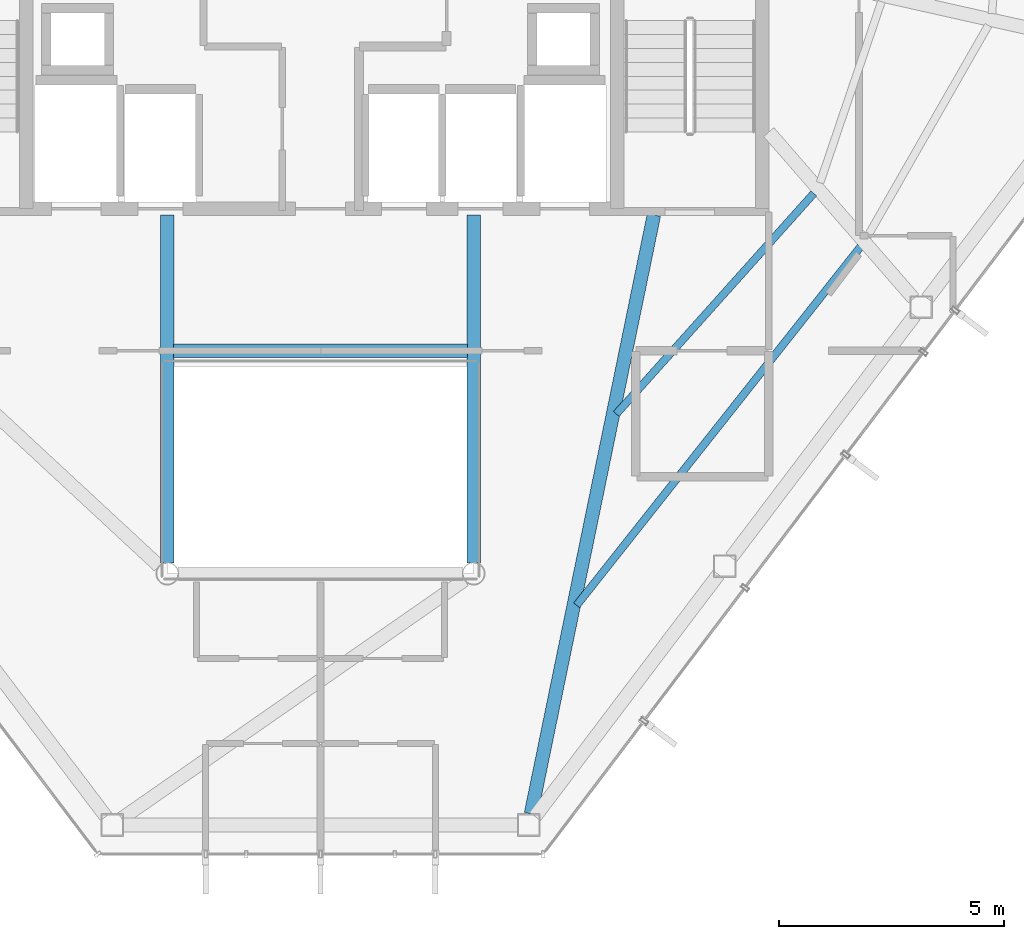
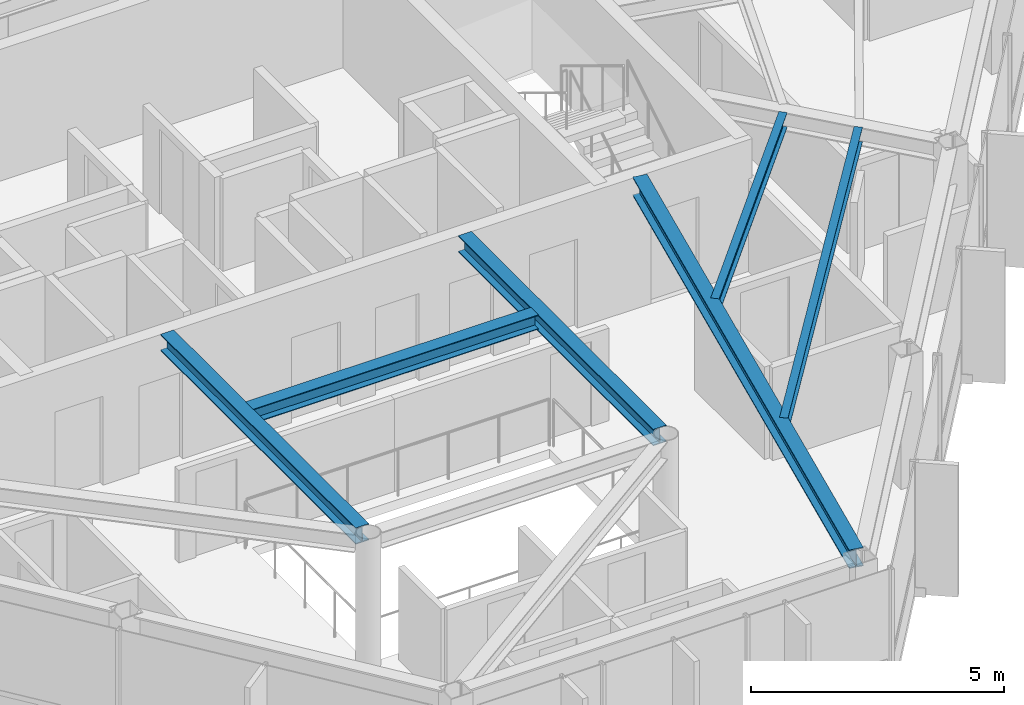
# One storey, part 7 of 25: 6 beams.
"""IFC4 building model written with IfcOpenShell, lengths in metres."""

from ifc_helpers import new_model, si_unit, direction, frame, origin, origin_2d, place, context, subcontext, project, spatial, i_section, extrude, material, material_profile, profile_set, type_object, element, save


model = new_model("IFC4")

# Units and contexts
model_context = context("Model", 3, precision=1e-05, world=origin(), true_north=direction((0.0, 1.0)))
body_context = subcontext(model_context, "Body", "Model", "MODEL_VIEW")
ifc_project = project(units=[si_unit("LENGTHUNIT", "METRE"), si_unit("AREAUNIT", "SQUARE_METRE"), si_unit("VOLUMEUNIT", "CUBIC_METRE"), si_unit("PLANEANGLEUNIT", "RADIAN"), si_unit("MASSUNIT", "GRAM", prefix="KILO")], contexts=[model_context])

# Site, building, storey
site_placement = place(None, origin())
site = spatial("IfcSite", under=ifc_project, at=site_placement, CompositionType="ELEMENT")
building_placement = place(site_placement, origin())
building = spatial("IfcBuilding", under=site, at=building_placement, Name="Zarrinselat Tower", CompositionType="ELEMENT")
storey_placement = place(building_placement, frame((0.0, 0.0, 261.800048828125)))
storey = spatial("IfcBuildingStorey", under=building, at=storey_placement, Name="L66", CompositionType="ELEMENT", Elevation=261.800048828125)

# Beams
ifc_material_1 = material(Name="Steel S355J2", Category="steel")
ifc_material_profile_1 = material_profile(ifc_material_1, i_section(OverallWidth=0.300048828125, OverallDepth=0.35009765625, WebThickness=0.010009765625, FlangeThickness=0.017578125, at=origin_2d()), Name="HEA 360")
ifc_profile_set_1 = profile_set([ifc_material_profile_1], Name="Steel S355J2")
beam_type_1 = type_object("IfcBeamType", Name="BM-HEA360", PredefinedType="LINTEL", material=ifc_profile_set_1)
beam_1_placement = place(storey_placement, frame((35.139892578125, 30.14990234375, 3.0048828125), z_axis=(1.0, 0.0, 0.0), x_axis=(0.0, 1.0, 0.0)))
element("IfcBeam", 1, at=beam_1_placement, inside=storey, type_object=beam_type_1, Name="L66 Lift Lobby Ceiling Beam", PredefinedType="LINTEL", context=body_context, shape_type="SweptSolid", body=[
    extrude(i_section(OverallWidth=0.300048828125, OverallDepth=0.35009765625, WebThickness=0.010009765625, FlangeThickness=0.017578125, at=origin_2d()), origin(), (0.0, 0.0, 1.0), 6.52001953125),
])
ifc_material_2 = material(Name="Steel S355J2", Category="steel")
ifc_material_profile_2 = material_profile(ifc_material_2, i_section(OverallWidth=0.300048828125, OverallDepth=0.39990234375, WebThickness=0.013427734375, FlangeThickness=0.02392578125, at=origin_2d()), Name="HEB 400")
ifc_profile_set_2 = profile_set([ifc_material_profile_2], Name="Steel S355J2")
beam_type_2 = type_object("IfcBeamType", Name="BM-HEB400", PredefinedType="BEAM", material=ifc_profile_set_2)
for number, where, z_axis, x_axis, name in (
    (2, (35.0, 25.43994140625, 2.97998046875), (0.0, 1.0, 0.0), (-1.0, 0.0, 0.0), "L66 Atrium Edge Beam W"),
    (3, (41.800048828125, 25.43994140625, 2.97998046875), (0.0, 1.0, 0.0), (-1.0, 0.0, 0.0), "L66 Atrium Edge Beam E"),
):
    element("IfcBeam", number, at=place(storey_placement, frame(where, z_axis=z_axis, x_axis=x_axis)), inside=storey, type_object=beam_type_2, Name=name, PredefinedType="BEAM", context=body_context, shape_type="SweptSolid", body=[
        extrude(i_section(OverallWidth=0.300048828125, OverallDepth=0.39990234375, WebThickness=0.013427734375, FlangeThickness=0.02392578125, at=origin_2d()), origin(), (0.0, 0.0, 1.0), 7.719970703125),
    ])
ifc_material_3 = material(Name="Steel S355J2", Category="steel")
ifc_material_profile_3 = material_profile(ifc_material_3, i_section(OverallWidth=0.300048828125, OverallDepth=0.449951171875, WebThickness=0.013916015625, FlangeThickness=0.02587890625, at=origin_2d()), Name="HEB 450")
ifc_profile_set_3 = profile_set([ifc_material_profile_3], Name="Steel S355J2")
beam_type_3 = type_object("IfcBeamType", Name="BM-HEB450", PredefinedType="BEAM", material=ifc_profile_set_3)
beam_2_placement = place(storey_placement, frame((43.0703125, 19.867919921875, 2.954833984375), z_axis=(0.201168590108, 0.979556633561, 0.0), x_axis=(-0.979556633561, 0.201168590108, 0.0)))
element("IfcBeam", 4, at=beam_2_placement, inside=storey, type_object=beam_type_3, Name="L66 Radial Primary Girder RG11", PredefinedType="BEAM", context=body_context, shape_type="SweptSolid", body=[
    extrude(i_section(OverallWidth=0.300048828125, OverallDepth=0.449951171875, WebThickness=0.013916015625, FlangeThickness=0.02587890625, at=origin_2d()), origin(), (0.0, 0.0, 1.0), 13.5693359375),
])
ifc_material_4 = material(Name="Steel S355J2", Category="steel")
ifc_material_profile_4 = material_profile(ifc_material_4, i_section(OverallWidth=0.169921875, OverallDepth=0.360107421875, WebThickness=0.008056640625, FlangeThickness=0.0126953125, at=origin_2d()), Name="IPE 360")
ifc_profile_set_4 = profile_set([ifc_material_profile_4], Name="Steel S355J2")
beam_type_4 = type_object("IfcBeamType", Name="BM-IPE360", PredefinedType="JOIST", material=ifc_profile_set_4)
beam_3_placement = place(storey_placement, frame((44.08544921875, 24.4970703125, 3.0), z_axis=(0.620693700803, 0.784053142194, 0.0), x_axis=(-0.784053142194, 0.620693700803, 0.0)))
element("IfcBeam", 5, at=beam_3_placement, inside=storey, type_object=beam_type_4, Name="L66 Composite Floor Joist 3-1", PredefinedType="JOIST", context=body_context, shape_type="SweptSolid", body=[
    extrude(i_section(OverallWidth=0.169921875, OverallDepth=0.360107421875, WebThickness=0.008056640625, FlangeThickness=0.0126953125, at=origin_2d()), origin(), (0.0, 0.0, 1.0), 10.147705078125),
])
beam_4_placement = place(storey_placement, frame((44.96533203125, 28.7451171875, 3.0), z_axis=(0.667137958681, 0.744934187755, 0.0), x_axis=(-0.744934187755, 0.667137958681, 0.0)))
element("IfcBeam", 6, at=beam_4_placement, inside=storey, type_object=beam_type_4, Name="L66 Composite Floor Joist 3-2", PredefinedType="JOIST", context=body_context, shape_type="SweptSolid", body=[
    extrude(i_section(OverallWidth=0.169921875, OverallDepth=0.360107421875, WebThickness=0.008056640625, FlangeThickness=0.0126953125, at=origin_2d()), origin(), (0.0, 0.0, 1.0), 6.5712890625),
])

save(model, "model.ifc")
